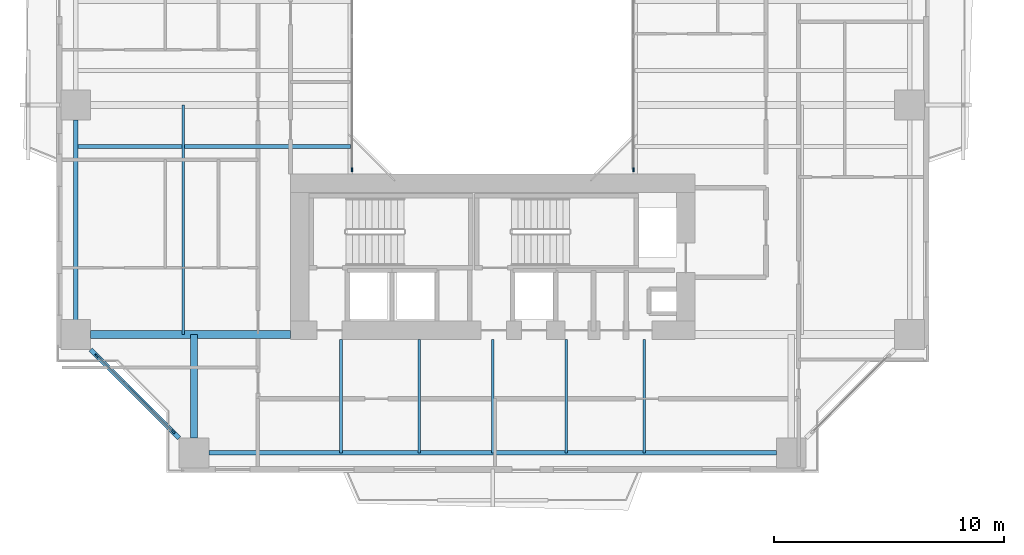
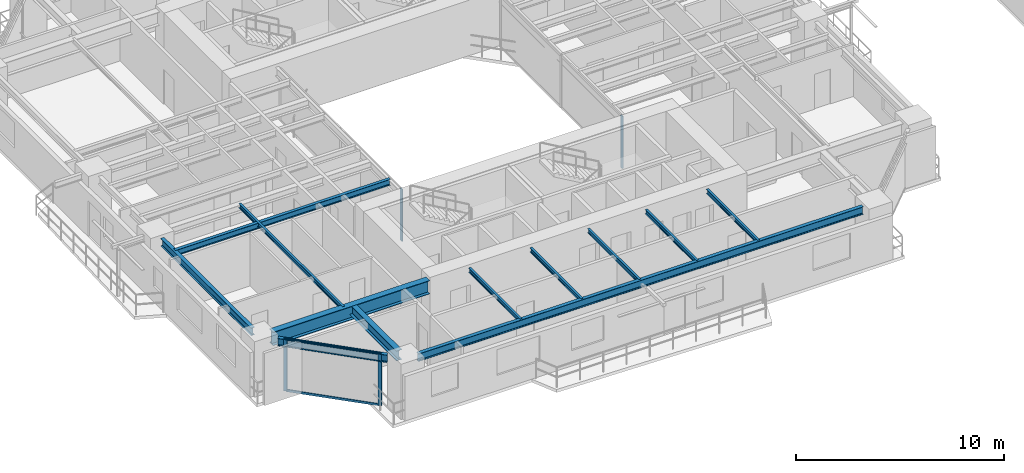
# One storey, part 2 of 23: 12 beams, 6 members, 3 elements without a shape of their own.
"""IFC4 building model written with IfcOpenShell, lengths in metres."""

from ifc_helpers import new_model, si_unit, direction, frame, origin, origin_2d, place, context, subcontext, project, spatial, rectangle, i_section, extrude, source, transform, mapped, material, layer, layer_set, material_profile, profile_set, type_object, element, aggregate, save


model = new_model("IFC4")

# Units and contexts
model_context = context("Model", 3, precision=1e-05, world=origin(), true_north=direction((0.0, 1.0)))
body_context = subcontext(model_context, "Body", "Model", "MODEL_VIEW")
ifc_project = project(units=[si_unit("LENGTHUNIT", "METRE"), si_unit("AREAUNIT", "SQUARE_METRE"), si_unit("VOLUMEUNIT", "CUBIC_METRE"), si_unit("PLANEANGLEUNIT", "RADIAN"), si_unit("MASSUNIT", "GRAM", prefix="KILO"), si_unit("THERMODYNAMICTEMPERATUREUNIT", "KELVIN"), si_unit("POWERUNIT", "WATT")], contexts=[model_context])

# Site, building, storey
site_placement = place(None, origin())
site = spatial("IfcSite", under=ifc_project, at=site_placement, CompositionType="ELEMENT")
building_placement = place(site_placement, origin())
building = spatial("IfcBuilding", under=site, at=building_placement, Name="Qiaomeng Ring Towers", CompositionType="ELEMENT")
storey_placement = place(building_placement, frame((0.0, 0.0, 76.25)))
storey = spatial("IfcBuildingStorey", under=building, at=storey_placement, Name="L21", CompositionType="ELEMENT", Elevation=76.25)

# Beams
ifc_material_1 = material(Name="Steel Q355B", Category="steel")
ifc_material_profile_1 = material_profile(ifc_material_1, i_section(OverallWidth=0.199951171875, OverallDepth=0.449951171875, WebThickness=0.009033203125, FlangeThickness=0.013916015625, FilletRadius=0.01806640625, at=origin_2d()), Name="HN 450x200x9x14")
ifc_profile_set_1 = profile_set([ifc_material_profile_1], Name="Steel Q355B")
beam_type_1 = type_object("IfcBeamType", Name="STR-BM-HN450", PredefinedType="SPANDREL", material=ifc_profile_set_1)
shared_shape_1 = source(origin(), body_context, "Body", "SweptSolid", [
    extrude(i_section(OverallWidth=0.199951171875, OverallDepth=0.449951171875, WebThickness=0.009033203125, FlangeThickness=0.013916015625, FilletRadius=0.01806640625, at=origin_2d()), origin(), (0.0, 0.0, 1.0), 24.7021484375),
])
beam_1_placement = place(storey_placement, frame((6.64892578125, 4.85009765625, 2.844970703125), z_axis=(1.0, 0.0, 0.0), x_axis=(0.0, 1.0, 0.0)))
element("IfcBeam", 1, at=beam_1_placement, inside=storey, type_object=beam_type_1, Name="L21 beam STR-SP-L21-T1-S1-S2", PredefinedType="SPANDREL", context=body_context, shape_type="MappedRepresentation", body=[
    mapped(shared_shape_1, transform((0.0, 0.0, 0.0), x_axis=(1.0, 0.0, 0.0), y_axis=(0.0, 1.0, 0.0), z_axis=(0.0, 0.0, 1.0), scale=1.0)),
])
shared_shape_2 = source(origin(), body_context, "Body", "SweptSolid", [
    extrude(i_section(OverallWidth=0.199951171875, OverallDepth=0.449951171875, WebThickness=0.009033203125, FlangeThickness=0.013916015625, FilletRadius=0.01806640625, at=origin_2d()), origin(), (0.0, 0.0, 1.0), 5.446533203125),
])
beam_2_placement = place(storey_placement, frame((1.499267578125, 9.3505859375, 2.844970703125), z_axis=(0.707106781187, -0.707106781187, 0.0), x_axis=(0.707106781187, 0.707106781187, 0.0)))
element("IfcBeam", 2, at=beam_2_placement, inside=storey, type_object=beam_type_1, Name="L21 beam STR-SP-L21-T1-W1-S1", PredefinedType="SPANDREL", context=body_context, shape_type="MappedRepresentation", body=[
    mapped(shared_shape_2, transform((0.0, 0.0, 0.0), x_axis=(1.0, 0.0, 0.0), y_axis=(0.0, 1.0, 0.0), z_axis=(0.0, 0.0, 1.0), scale=1.0)),
])
shared_shape_3 = source(origin(), body_context, "Body", "SweptSolid", [
    extrude(i_section(OverallWidth=0.199951171875, OverallDepth=0.449951171875, WebThickness=0.009033203125, FlangeThickness=0.013916015625, FilletRadius=0.01806640625, at=origin_2d()), origin(), (0.0, 0.0, 1.0), 8.7021484375),
])
beam_3_placement = place(storey_placement, frame((0.85009765625, 19.35107421875, 2.844970703125), z_axis=(0.0, -1.0, 0.0), x_axis=(1.0, 0.0, 0.0)))
element("IfcBeam", 3, at=beam_3_placement, inside=storey, type_object=beam_type_1, Name="L21 beam STR-SP-L21-T1-W2-W1", PredefinedType="SPANDREL", context=body_context, shape_type="MappedRepresentation", body=[
    mapped(shared_shape_3, transform((0.0, 0.0, 0.0), x_axis=(1.0, 0.0, 0.0), y_axis=(0.0, 1.0, 0.0), z_axis=(0.0, 0.0, 1.0), scale=1.0)),
])
ifc_material_2 = material(Name="Steel Q390GJC", Category="steel")
ifc_material_profile_2 = material_profile(ifc_material_2, i_section(OverallWidth=0.35009765625, OverallDepth=0.800048828125, WebThickness=0.01611328125, FlangeThickness=0.028076171875, at=origin_2d()), Name="WH 800x350x16x28")
ifc_profile_set_2 = profile_set([ifc_material_profile_2], Name="Steel Q390GJC")
beam_type_2 = type_object("IfcBeamType", Name="STR-BM-WH800", PredefinedType="BEAM", material=ifc_profile_set_2)
shared_shape_4 = source(origin(), body_context, "Body", "SweptSolid", [
    extrude(i_section(OverallWidth=0.35009765625, OverallDepth=0.800048828125, WebThickness=0.01611328125, FlangeThickness=0.028076171875, at=origin_2d()), origin(), (0.0, 0.0, 1.0), 8.700927734375),
])
beam_4_placement = place(storey_placement, frame((1.4990234375, 10.0, 2.669921875), z_axis=(1.0, 0.0, 0.0), x_axis=(0.0, 1.0, 0.0)))
element("IfcBeam", 4, at=beam_4_placement, inside=storey, type_object=beam_type_2, Name="L21 beam STR-BM-L21-T1-RAD-W1", PredefinedType="BEAM", context=body_context, shape_type="MappedRepresentation", body=[
    mapped(shared_shape_4, transform((0.0, 0.0, 0.0), x_axis=(1.0, 0.0, 0.0), y_axis=(0.0, 1.0, 0.0), z_axis=(0.0, 0.0, 1.0), scale=1.0)),
])
ifc_material_profile_3 = material_profile(ifc_material_1, i_section(OverallWidth=0.300048828125, OverallDepth=0.587890625, WebThickness=0.011962890625, FlangeThickness=0.02001953125, FilletRadius=0.028076171875, at=origin_2d()), Name="HM 588x300x12x20")
ifc_profile_set_3 = profile_set([ifc_material_profile_3], Name="Steel Q355B")
beam_type_3 = type_object("IfcBeamType", Name="STR-BM-HM588", PredefinedType="BEAM", material=ifc_profile_set_3)
shared_shape_5 = source(origin(), body_context, "Body", "SweptSolid", [
    extrude(i_section(OverallWidth=0.300048828125, OverallDepth=0.587890625, WebThickness=0.011962890625, FlangeThickness=0.02001953125, FilletRadius=0.028076171875, at=origin_2d()), origin(), (0.0, 0.0, 1.0), 4.5009765625),
])
beam_5_placement = place(storey_placement, frame((6.0, 5.4990234375, 2.77587890625), z_axis=(0.0, 1.0, 0.0), x_axis=(-1.0, 0.0, 0.0)))
element("IfcBeam", 5, at=beam_5_placement, inside=storey, type_object=beam_type_3, Name="L21 beam STR-BM-L21-T1-RAD-S1", PredefinedType="BEAM", context=body_context, shape_type="MappedRepresentation", body=[
    mapped(shared_shape_5, transform((0.0, 0.0, 0.0), x_axis=(1.0, 0.0, 0.0), y_axis=(0.0, 1.0, 0.0), z_axis=(0.0, 0.0, 1.0), scale=1.0)),
])
ifc_material_profile_4 = material_profile(ifc_material_1, i_section(OverallWidth=0.125, OverallDepth=0.25, WebThickness=0.006103515625, FlangeThickness=0.009033203125, FilletRadius=0.011962890625, at=origin_2d()), Name="HN 250x125x6x9")
ifc_profile_set_4 = profile_set([ifc_material_profile_4], Name="Steel Q355B")
beam_type_4 = type_object("IfcBeamType", Name="STR-BM-HN250", PredefinedType="JOIST", material=ifc_profile_set_4)
shared_shape_6 = source(origin(), body_context, "Body", "SweptSolid", [
    extrude(i_section(OverallWidth=0.125, OverallDepth=0.25, WebThickness=0.006103515625, FlangeThickness=0.009033203125, FilletRadius=0.011962890625, at=origin_2d()), origin(), (0.0, 0.0, 1.0), 4.949951171875),
])
for number, where, z_axis, x_axis, name in (
    (6, (12.39990234375, 4.85009765625, 2.945068359375), (0.0, 1.0, 0.0), (-1.0, 0.0, 0.0), "L21 beam STR-JST-L21-T1S-1"),
    (7, (15.800048828125, 4.85009765625, 2.945068359375), (0.0, 1.0, 0.0), (-1.0, 0.0, 0.0), "L21 beam STR-JST-L21-T1S-2"),
    (8, (19.0, 4.85009765625, 2.945068359375), (0.0, 1.0, 0.0), (-1.0, 0.0, 0.0), "L21 beam STR-JST-L21-T1S-3"),
    (9, (22.199951171875, 4.85009765625, 2.945068359375), (0.0, 1.0, 0.0), (-1.0, 0.0, 0.0), "L21 beam STR-JST-L21-T1S-4"),
    (10, (25.60009765625, 4.85009765625, 2.945068359375), (0.0, 1.0, 0.0), (-1.0, 0.0, 0.0), "L21 beam STR-JST-L21-T1S-5"),
):
    element("IfcBeam", number, at=place(storey_placement, frame(where, z_axis=z_axis, x_axis=x_axis)), inside=storey, type_object=beam_type_4, Name=name, PredefinedType="JOIST", context=body_context, shape_type="MappedRepresentation", body=[
        mapped(shared_shape_6, transform((0.0, 0.0, 0.0), x_axis=(1.0, 0.0, 0.0), y_axis=(0.0, 1.0, 0.0), z_axis=(0.0, 0.0, 1.0), scale=1.0)),
    ])
ifc_material_profile_5 = material_profile(ifc_material_1, i_section(OverallWidth=0.175048828125, OverallDepth=0.35009765625, WebThickness=0.007080078125, FlangeThickness=0.010986328125, FilletRadius=0.013916015625, at=origin_2d()), Name="HN 350x175x7x11")
ifc_profile_set_5 = profile_set([ifc_material_profile_5], Name="Steel Q355B")
beam_type_5 = type_object("IfcBeamType", Name="STR-BM-HN350", PredefinedType="JOIST", material=ifc_profile_set_5)
shared_shape_7 = source(origin(), body_context, "Body", "SweptSolid", [
    extrude(i_section(OverallWidth=0.175048828125, OverallDepth=0.35009765625, WebThickness=0.007080078125, FlangeThickness=0.010986328125, FilletRadius=0.013916015625, at=origin_2d()), origin(), (0.0, 0.0, 1.0), 11.949951171875),
])
beam_6_placement = place(storey_placement, frame((0.85009765625, 18.199951171875, 2.89501953125), z_axis=(1.0, 0.0, 0.0), x_axis=(0.0, 1.0, 0.0)))
element("IfcBeam", 11, at=beam_6_placement, inside=storey, type_object=beam_type_5, Name="L21 beam STR-JST-L21-T1W-1", PredefinedType="JOIST", context=body_context, shape_type="MappedRepresentation", body=[
    mapped(shared_shape_7, transform((0.0, 0.0, 0.0), x_axis=(1.0, 0.0, 0.0), y_axis=(0.0, 1.0, 0.0), z_axis=(0.0, 0.0, 1.0), scale=1.0)),
])
shared_shape_8 = source(origin(), body_context, "Body", "SweptSolid", [
    extrude(i_section(OverallWidth=0.125, OverallDepth=0.25, WebThickness=0.006103515625, FlangeThickness=0.009033203125, FilletRadius=0.011962890625, at=origin_2d()), origin(), (0.0, 0.0, 1.0), 10.0),
])
beam_7_placement = place(storey_placement, frame((5.52490234375, 10.0, 2.945068359375), z_axis=(0.0, 1.0, 0.0), x_axis=(-1.0, 0.0, 0.0)))
element("IfcBeam", 12, at=beam_7_placement, inside=storey, type_object=beam_type_4, Name="L21 beam STR-JST-L21-T1C-WS", PredefinedType="JOIST", context=body_context, shape_type="MappedRepresentation", body=[
    mapped(shared_shape_8, transform((0.0, 0.0, 0.0), x_axis=(1.0, 0.0, 0.0), y_axis=(0.0, 1.0, 0.0), z_axis=(0.0, 0.0, 1.0), scale=1.0)),
])

# Curtain wall, member
ifc_material_3 = material(Name="Fluorocarbon dark-grey aluminium", Category="aluminium")
ifc_layer_1 = layer(ifc_material_3, 0.139892578125, Name="Fluorocarbon dark-grey aluminium")
ifc_layer_set_1 = layer_set([ifc_layer_1], Name="Fluorocarbon dark-grey aluminium")
curtain_wall_type_1 = type_object("IfcCurtainWallType", Name="ARC-CW-4", PredefinedType="NOTDEFINED", material=ifc_layer_set_1)
curtain_wall_1_placement = place(storey_placement, origin())
curtain_wall_1 = element("IfcCurtainWall", 13, at=curtain_wall_1_placement, inside=storey, type_object=curtain_wall_type_1, Name="L21 Curtain Wall CW4", PredefinedType="NOTDEFINED")
ifc_material_profile_6 = material_profile(ifc_material_3, rectangle(XDim=0.06494140625, YDim=0.159912109375, at=origin_2d()), Name="ALU MULL 65x160")
ifc_profile_set_6 = profile_set([ifc_material_profile_6], Name="Fluorocarbon dark-grey aluminium")
member_type_1 = type_object("IfcMemberType", Name="ARC-CWM-140", PredefinedType="MULLION", material=ifc_profile_set_6)
shared_shape_9 = source(origin(), body_context, "Body", "SweptSolid", [
    extrude(rectangle(XDim=0.06494140625, YDim=0.159912109375, at=origin_2d()), origin(), (0.0, 0.0, 1.0), 3.070068359375),
])
member_1_placement = place(storey_placement, frame((12.8798828125, 17.1826171875, 0.0), z_axis=(0.0, 0.0, 1.0), x_axis=(-1.0, 0.0, 0.0)))
member_1 = element("IfcMember", 14, at=member_1_placement, type_object=member_type_1, Name="CW4 mullion 1", PredefinedType="MULLION", context=body_context, shape_type="MappedRepresentation", body=[
    mapped(shared_shape_9, transform((0.0, 0.0, 0.0), x_axis=(1.0, 0.0, 0.0), y_axis=(0.0, 1.0, 0.0), z_axis=(0.0, 0.0, 1.0), scale=1.0)),
])
aggregate(curtain_wall_1, [member_1])

curtain_wall_2_placement = place(storey_placement, origin())
curtain_wall_2 = element("IfcCurtainWall", 15, at=curtain_wall_2_placement, inside=storey, type_object=curtain_wall_type_1, Name="L21 Curtain Wall CW4", PredefinedType="NOTDEFINED")
member_2_placement = place(storey_placement, frame((25.1201171875, 17.1826171875, 0.0), z_axis=(0.0, 0.0, 1.0), x_axis=(-1.0, 0.0, 0.0)))
member_2 = element("IfcMember", 16, at=member_2_placement, type_object=member_type_1, Name="CW4 mullion 1", PredefinedType="MULLION", context=body_context, shape_type="MappedRepresentation", body=[
    mapped(shared_shape_9, transform((0.0, 0.0, 0.0), x_axis=(1.0, 0.0, 0.0), y_axis=(0.0, 1.0, 0.0), z_axis=(0.0, 0.0, 1.0), scale=1.0)),
])
aggregate(curtain_wall_2, [member_2])

# Curtain wall, members
ifc_layer_2 = layer(ifc_material_3, 0.159912109375, Name="Fluorocarbon dark-grey aluminium")
ifc_layer_set_2 = layer_set([ifc_layer_2], Name="Fluorocarbon dark-grey aluminium")
curtain_wall_type_2 = type_object("IfcCurtainWallType", Name="ARC-CW-2", PredefinedType="NOTDEFINED", material=ifc_layer_set_2)
curtain_wall_3_placement = place(storey_placement, origin())
curtain_wall_3 = element("IfcCurtainWall", 17, at=curtain_wall_3_placement, inside=storey, type_object=curtain_wall_type_2, Name="L21 Curtain Wall CW2", PredefinedType="NOTDEFINED")
ifc_material_profile_7 = material_profile(ifc_material_3, rectangle(XDim=0.070068359375, YDim=0.179931640625, at=origin_2d()), Name="ALU MULL 70x180")
ifc_profile_set_7 = profile_set([ifc_material_profile_7], Name="Fluorocarbon dark-grey aluminium")
member_type_2 = type_object("IfcMemberType", Name="ARC-CWM-160", PredefinedType="MULLION", material=ifc_profile_set_7)
shared_shape_10 = source(origin(), body_context, "Body", "SweptSolid", [
    extrude(rectangle(XDim=0.070068359375, YDim=0.179931640625, at=origin_2d()), origin(), (0.0, 0.0, 1.0), 3.070068359375),
])
member_3_placement = place(storey_placement, frame((1.7646484375, 9.085205078125, 0.0), z_axis=(0.0, 0.0, 1.0), x_axis=(0.707106781187, 0.707106781187, 0.0)))
member_3 = element("IfcMember", 18, at=member_3_placement, type_object=member_type_2, Name="CW2 mullion 1", PredefinedType="MULLION", context=body_context, shape_type="MappedRepresentation", body=[
    mapped(shared_shape_10, transform((0.0, 0.0, 0.0), x_axis=(1.0, 0.0, 0.0), y_axis=(0.0, 1.0, 0.0), z_axis=(0.0, 0.0, 1.0), scale=1.0)),
])
member_4_placement = place(storey_placement, frame((5.085205078125, 5.7646484375, 0.0), z_axis=(0.0, 0.0, 1.0), x_axis=(0.707106781187, 0.707106781187, 0.0)))
member_4 = element("IfcMember", 19, at=member_4_placement, type_object=member_type_2, Name="CW2 mullion 2", PredefinedType="MULLION", context=body_context, shape_type="MappedRepresentation", body=[
    mapped(shared_shape_10, transform((0.0, 0.0, 0.0), x_axis=(1.0, 0.0, 0.0), y_axis=(0.0, 1.0, 0.0), z_axis=(0.0, 0.0, 1.0), scale=1.0)),
])
ifc_material_profile_8 = material_profile(ifc_material_3, rectangle(XDim=0.06494140625, YDim=0.1298828125, at=origin_2d()), Name="ALU TRAN 65x130")
ifc_profile_set_8 = profile_set([ifc_material_profile_8], Name="Fluorocarbon dark-grey aluminium")
member_type_3 = type_object("IfcMemberType", Name="ARC-CWT-120", PredefinedType="USERDEFINED", material=ifc_profile_set_8)
shared_shape_11 = source(origin(), body_context, "Body", "SweptSolid", [
    extrude(rectangle(XDim=0.06494140625, YDim=0.1298828125, at=origin_2d()), origin(), (0.0, 0.0, 1.0), 4.6259765625),
])
member_5_placement = place(storey_placement, frame((1.78955078125, 9.060546875, 0.032470703125), z_axis=(0.707106781187, -0.707106781187, 0.0), x_axis=(0.707106781187, 0.707106781187, 0.0)))
member_5 = element("IfcMember", 20, at=member_5_placement, type_object=member_type_3, Name="CW2 transom 1.1", ObjectType="TRANSOM", PredefinedType="USERDEFINED", context=body_context, shape_type="MappedRepresentation", body=[
    mapped(shared_shape_11, transform((0.0, 0.0, 0.0), x_axis=(1.0, 0.0, 0.0), y_axis=(0.0, 1.0, 0.0), z_axis=(0.0, 0.0, 1.0), scale=1.0)),
])
member_6_placement = place(storey_placement, frame((1.78955078125, 9.060546875, 3.03759765625), z_axis=(0.707106781187, -0.707106781187, 0.0), x_axis=(0.707106781187, 0.707106781187, 0.0)))
member_6 = element("IfcMember", 21, at=member_6_placement, type_object=member_type_3, Name="CW2 transom 1.2", ObjectType="TRANSOM", PredefinedType="USERDEFINED", context=body_context, shape_type="MappedRepresentation", body=[
    mapped(shared_shape_11, transform((0.0, 0.0, 0.0), x_axis=(1.0, 0.0, 0.0), y_axis=(0.0, 1.0, 0.0), z_axis=(0.0, 0.0, 1.0), scale=1.0)),
])
aggregate(curtain_wall_3, [member_3, member_4, member_5, member_6])

save(model, "model.ifc")
